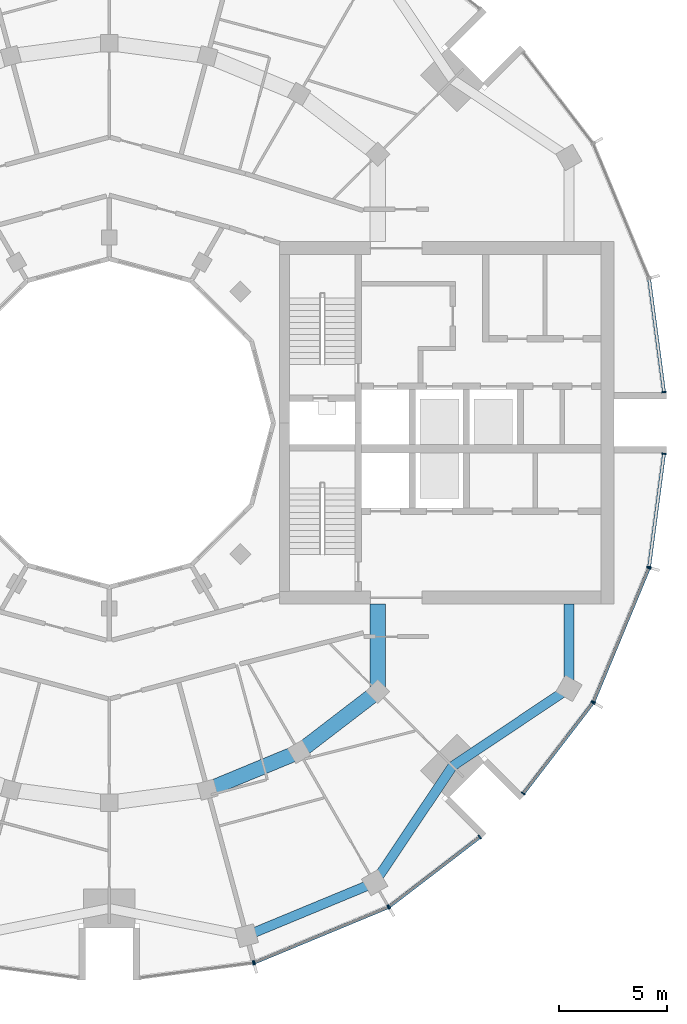
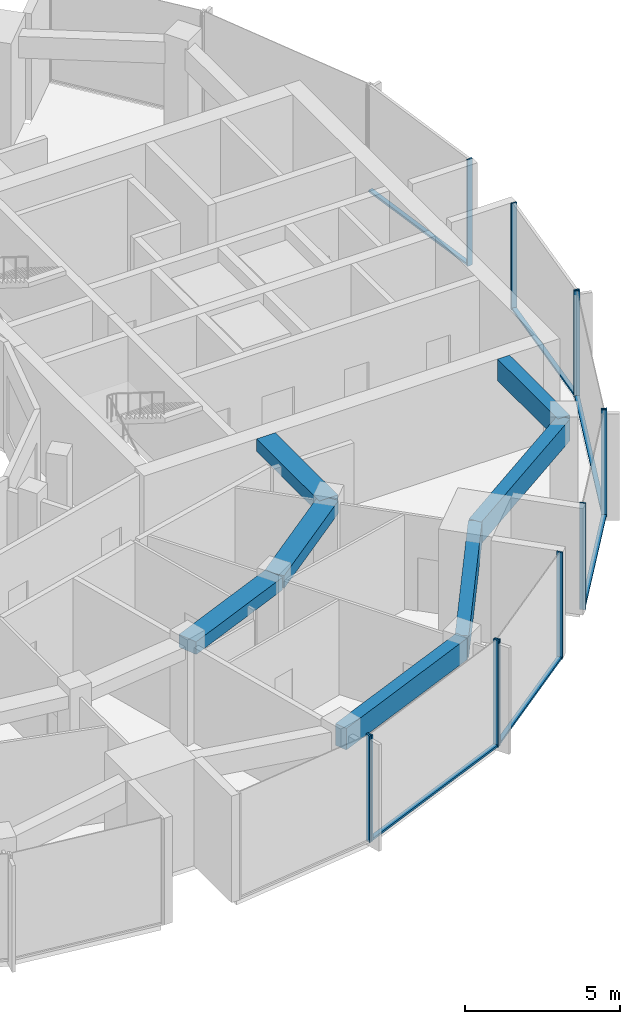
# One storey, part 4 of 15: 18 members, 7 beams, 7 elements without a shape of their own.
"""IFC4 building model written with IfcOpenShell, lengths in metres."""

from ifc_helpers import new_model, si_unit, direction, frame, origin, origin_2d, place, context, subcontext, project, spatial, rectangle, extrude, material, layer, layer_set, material_profile, profile_set, type_object, element, aggregate, save


model = new_model("IFC4")

# Units and contexts
model_context = context("Model", 3, precision=1e-05, world=origin(), true_north=direction((0.0, 1.0)))
body_context = subcontext(model_context, "Body", "Model", "MODEL_VIEW")
ifc_project = project(units=[si_unit("LENGTHUNIT", "METRE"), si_unit("AREAUNIT", "SQUARE_METRE"), si_unit("VOLUMEUNIT", "CUBIC_METRE"), si_unit("PLANEANGLEUNIT", "RADIAN"), si_unit("MASSUNIT", "GRAM", prefix="KILO")], contexts=[model_context])

# Site, building, storey
site_placement = place(None, origin())
site = spatial("IfcSite", under=ifc_project, at=site_placement, CompositionType="ELEMENT")
building_placement = place(site_placement, origin())
building = spatial("IfcBuilding", under=site, at=building_placement, Name="Torre Brocal", CompositionType="ELEMENT")
storey_placement = place(building_placement, frame((0.0, 0.0, 245.699951171875)))
storey = spatial("IfcBuildingStorey", under=building, at=storey_placement, Name="L56", CompositionType="ELEMENT", Elevation=245.699951171875)

# Curtain wall, member
ifc_material_1 = material(Name="Aluminium and glass", Category="aluminium")
ifc_layer_1 = layer(ifc_material_1, 0.199951171875)
ifc_layer_set_1 = layer_set([ifc_layer_1], Name="Aluminium and glass")
curtain_wall_type_1 = type_object("IfcCurtainWallType", Name="CW-1 CURTAIN WALL 4200 HIGH", PredefinedType="NOTDEFINED", material=ifc_layer_set_1)
curtain_wall_1_placement = place(storey_placement, origin())
curtain_wall_1 = element("IfcCurtainWall", 1, at=curtain_wall_1_placement, inside=storey, type_object=curtain_wall_type_1, Name="CW-1 RUN 19", PredefinedType="NOTDEFINED")
ifc_material_2 = material(Name="Aluminium, dark anodised", Category="aluminium")
ifc_material_profile_1 = material_profile(ifc_material_2, rectangle(XDim=0.199951171875, YDim=0.06005859375, at=origin_2d()), Name="CW-1 MULLION 60X200")
ifc_profile_set_1 = profile_set([ifc_material_profile_1], Name="Aluminium, dark anodised")
member_type_1 = type_object("IfcMemberType", Name="CW-1 MULLION 60X200", PredefinedType="MULLION", material=ifc_profile_set_1)
member_1_placement = place(storey_placement, frame((86.67333984375, 49.9794921875, 0.0), z_axis=(0.0, 0.0, 1.0), x_axis=(-0.13052619222, 0.991444861374, 0.0)))
member_1 = element("IfcMember", 2, at=member_1_placement, type_object=member_type_1, Name="CW1-5 mullion 2", PredefinedType="MULLION", context=body_context, shape_type="SweptSolid", body=[
    extrude(rectangle(XDim=0.199951171875, YDim=0.06005859375, at=origin_2d()), origin(), (0.0, 0.0, 1.0), 4.199951171875),
])
aggregate(curtain_wall_1, [member_1])

# Curtain wall, members
curtain_wall_2_placement = place(storey_placement, origin())
curtain_wall_2 = element("IfcCurtainWall", 3, at=curtain_wall_2_placement, inside=storey, type_object=curtain_wall_type_1, Name="CW-1 RUN 20", PredefinedType="NOTDEFINED")
member_2_placement = place(storey_placement, frame((86.73095703125, 49.994873046875, 0.0), z_axis=(0.0, 0.0, 1.0), x_axis=(-0.382683432333, 0.923879532525, 0.0)))
member_2 = element("IfcMember", 4, at=member_2_placement, type_object=member_type_1, Name="CW1-5 mullion 1", PredefinedType="MULLION", context=body_context, shape_type="SweptSolid", body=[
    extrude(rectangle(XDim=0.199951171875, YDim=0.06005859375, at=origin_2d()), origin(), (0.0, 0.0, 1.0), 4.199951171875),
])
member_3_placement = place(storey_placement, frame((92.921875, 52.559326171875, 0.0), z_axis=(0.0, 0.0, 1.0), x_axis=(-0.382683432333, 0.923879532525, 0.0)))
member_3 = element("IfcMember", 5, at=member_3_placement, type_object=member_type_1, Name="CW1-5 mullion 2", PredefinedType="MULLION", context=body_context, shape_type="SweptSolid", body=[
    extrude(rectangle(XDim=0.199951171875, YDim=0.06005859375, at=origin_2d()), origin(), (0.0, 0.0, 1.0), 4.199951171875),
])

curtain_wall_3_placement = place(storey_placement, origin())
curtain_wall_3 = element("IfcCurtainWall", 6, at=curtain_wall_3_placement, inside=storey, type_object=curtain_wall_type_1, Name="CW-1 RUN 21", PredefinedType="NOTDEFINED")
member_4_placement = place(storey_placement, frame((92.973388671875, 52.5888671875, 0.0), z_axis=(0.0, 0.0, 1.0), x_axis=(-0.60876142905, 0.793353340259, 0.0)))
member_4 = element("IfcMember", 7, at=member_4_placement, type_object=member_type_1, Name="CW1-5 mullion 1", PredefinedType="MULLION", context=body_context, shape_type="SweptSolid", body=[
    extrude(rectangle(XDim=0.199951171875, YDim=0.06005859375, at=origin_2d()), origin(), (0.0, 0.0, 1.0), 4.199951171875),
])
member_5_placement = place(storey_placement, frame((97.16943359375, 55.80859375, 0.0), z_axis=(0.0, 0.0, 1.0), x_axis=(-0.60876142905, 0.793353340259, 0.0)))
member_5 = element("IfcMember", 8, at=member_5_placement, type_object=member_type_1, Name="CW1-5 mullion 2", PredefinedType="MULLION", context=body_context, shape_type="SweptSolid", body=[
    extrude(rectangle(XDim=0.199951171875, YDim=0.06005859375, at=origin_2d()), origin(), (0.0, 0.0, 1.0), 4.199951171875),
])

curtain_wall_4_placement = place(storey_placement, origin())
curtain_wall_4 = element("IfcCurtainWall", 9, at=curtain_wall_4_placement, inside=storey, type_object=curtain_wall_type_1, Name="CW-1 RUN 22", PredefinedType="NOTDEFINED")
member_6_placement = place(storey_placement, frame((99.19140625, 57.83056640625, 0.0), z_axis=(0.0, 0.0, 1.0), x_axis=(-0.793353340259, 0.60876142905, 0.0)))
member_6 = element("IfcMember", 10, at=member_6_placement, type_object=member_type_1, Name="CW1-5 mullion 1", PredefinedType="MULLION", context=body_context, shape_type="SweptSolid", body=[
    extrude(rectangle(XDim=0.199951171875, YDim=0.06005859375, at=origin_2d()), origin(), (0.0, 0.0, 1.0), 4.199951171875),
])
member_7_placement = place(storey_placement, frame((102.4111328125, 62.026611328125, 0.0), z_axis=(0.0, 0.0, 1.0), x_axis=(-0.793353340259, 0.60876142905, 0.0)))
member_7 = element("IfcMember", 11, at=member_7_placement, type_object=member_type_1, Name="CW1-5 mullion 2", PredefinedType="MULLION", context=body_context, shape_type="SweptSolid", body=[
    extrude(rectangle(XDim=0.199951171875, YDim=0.06005859375, at=origin_2d()), origin(), (0.0, 0.0, 1.0), 4.199951171875),
])

curtain_wall_5_placement = place(storey_placement, origin())
curtain_wall_5 = element("IfcCurtainWall", 12, at=curtain_wall_5_placement, inside=storey, type_object=curtain_wall_type_1, Name="CW-1 RUN 23", PredefinedType="NOTDEFINED")
member_8_placement = place(storey_placement, frame((102.440673828125, 62.078125, 0.0), z_axis=(0.0, 0.0, 1.0), x_axis=(-0.923879532525, 0.382683432333, 0.0)))
member_8 = element("IfcMember", 13, at=member_8_placement, type_object=member_type_1, Name="CW1-5 mullion 1", PredefinedType="MULLION", context=body_context, shape_type="SweptSolid", body=[
    extrude(rectangle(XDim=0.199951171875, YDim=0.06005859375, at=origin_2d()), origin(), (0.0, 0.0, 1.0), 4.199951171875),
])
member_9_placement = place(storey_placement, frame((105.005126953125, 68.26904296875, 0.0), z_axis=(0.0, 0.0, 1.0), x_axis=(-0.923879532525, 0.382683432333, 0.0)))
member_9 = element("IfcMember", 14, at=member_9_placement, type_object=member_type_1, Name="CW1-5 mullion 2", PredefinedType="MULLION", context=body_context, shape_type="SweptSolid", body=[
    extrude(rectangle(XDim=0.199951171875, YDim=0.06005859375, at=origin_2d()), origin(), (0.0, 0.0, 1.0), 4.199951171875),
])

# Member
ifc_material_3 = material(Name="Aluminium, dark anodised", Category="aluminium")
ifc_material_profile_2 = material_profile(ifc_material_3, rectangle(XDim=0.159912109375, YDim=0.080078125, at=origin_2d()), Name="CW-1 TRANSOM 160X80")
ifc_profile_set_2 = profile_set([ifc_material_profile_2], Name="Aluminium, dark anodised")
member_type_2 = type_object("IfcMemberType", Name="CW-1 TRANSOM 160X80", PredefinedType="USERDEFINED", material=ifc_profile_set_2)
member_10_placement = place(storey_placement, frame((86.758544921875, 50.00634765625, 0.0400390625), z_axis=(0.923887344364, 0.38266457234, 0.0), x_axis=(-0.38266457234, 0.923887344364, 0.0)))
member_10 = element("IfcMember", 15, at=member_10_placement, type_object=member_type_2, Name="CW1-5 transom 1.1", ObjectType="TRANSOM", PredefinedType="USERDEFINED", context=body_context, shape_type="SweptSolid", body=[
    extrude(rectangle(XDim=0.159912109375, YDim=0.080078125, at=origin_2d()), origin(), (0.0, 0.0, 1.0), 6.640869140625),
])

aggregate(curtain_wall_2, [member_2, member_3, member_10])

member_11_placement = place(storey_placement, frame((92.9970703125, 52.607177734375, 0.0400390625), z_axis=(0.79336281513, 0.60874908096, 0.0), x_axis=(-0.60874908096, 0.79336281513, 0.0)))
member_11 = element("IfcMember", 16, at=member_11_placement, type_object=member_type_2, Name="CW1-5 transom 1.1", ObjectType="TRANSOM", PredefinedType="USERDEFINED", context=body_context, shape_type="SweptSolid", body=[
    extrude(rectangle(XDim=0.159912109375, YDim=0.080078125, at=origin_2d()), origin(), (0.0, 0.0, 1.0), 5.22900390625),
])

aggregate(curtain_wall_3, [member_4, member_5, member_11])

member_12_placement = place(storey_placement, frame((99.209716796875, 57.8544921875, 0.0400390625), z_axis=(0.60874908096, 0.79336281513, 0.0), x_axis=(-0.79336281513, 0.60874908096, 0.0)))
member_12 = element("IfcMember", 17, at=member_12_placement, type_object=member_type_2, Name="CW1-5 transom 1.1", ObjectType="TRANSOM", PredefinedType="USERDEFINED", context=body_context, shape_type="SweptSolid", body=[
    extrude(rectangle(XDim=0.159912109375, YDim=0.080078125, at=origin_2d()), origin(), (0.0, 0.0, 1.0), 5.22900390625),
])

aggregate(curtain_wall_4, [member_6, member_7, member_12])

member_13_placement = place(storey_placement, frame((102.452392578125, 62.10595703125, 0.0400390625), z_axis=(0.38266457234, 0.923887344364, 0.0), x_axis=(-0.923887344364, 0.38266457234, 0.0)))
member_13 = element("IfcMember", 18, at=member_13_placement, type_object=member_type_2, Name="CW1-5 transom 1.1", ObjectType="TRANSOM", PredefinedType="USERDEFINED", context=body_context, shape_type="SweptSolid", body=[
    extrude(rectangle(XDim=0.159912109375, YDim=0.080078125, at=origin_2d()), origin(), (0.0, 0.0, 1.0), 6.640869140625),
])

aggregate(curtain_wall_5, [member_8, member_9, member_13])

# Curtain wall, member
ifc_material_4 = material(Name="Aluminium and glass", Category="aluminium")
ifc_layer_2 = layer(ifc_material_4, 0.199951171875)
ifc_layer_set_2 = layer_set([ifc_layer_2], Name="Aluminium and glass")
curtain_wall_type_2 = type_object("IfcCurtainWallType", Name="CW-1B CURTAIN WALL 4200 HIGH", PredefinedType="NOTDEFINED", material=ifc_layer_set_2)
curtain_wall_6_placement = place(storey_placement, origin())
curtain_wall_6 = element("IfcCurtainWall", 19, at=curtain_wall_6_placement, inside=storey, type_object=curtain_wall_type_2, Name="CW-1B RUN 1", PredefinedType="NOTDEFINED")
ifc_material_5 = material(Name="Aluminium, dark anodised", Category="aluminium")
ifc_material_profile_3 = material_profile(ifc_material_5, rectangle(XDim=0.199951171875, YDim=0.06005859375, at=origin_2d()), Name="CW-1B MULLION 60X200")
ifc_profile_set_3 = profile_set([ifc_material_profile_3], Name="Aluminium, dark anodised")
member_type_3 = type_object("IfcMemberType", Name="CW-1B MULLION 60X200", PredefinedType="MULLION", material=ifc_profile_set_3)
member_14_placement = place(storey_placement, frame((105.7109375, 76.4296875, 0.0), z_axis=(0.0, 0.0, 1.0), x_axis=(-0.991444861374, -0.13052619222, 0.0)))
member_14 = element("IfcMember", 20, at=member_14_placement, type_object=member_type_3, Name="CW1B-5 mullion 1", PredefinedType="MULLION", context=body_context, shape_type="SweptSolid", body=[
    extrude(rectangle(XDim=0.199951171875, YDim=0.06005859375, at=origin_2d()), origin(), (0.0, 0.0, 1.0), 4.199951171875),
])

# Curtain wall, members
curtain_wall_7_placement = place(storey_placement, origin())
curtain_wall_7 = element("IfcCurtainWall", 21, at=curtain_wall_7_placement, inside=storey, type_object=curtain_wall_type_2, Name="CW-1B RUN 24", PredefinedType="NOTDEFINED")
member_15_placement = place(storey_placement, frame((105.0205078125, 68.32666015625, 0.0), z_axis=(0.0, 0.0, 1.0), x_axis=(-0.991444861374, 0.13052619222, 0.0)))
member_15 = element("IfcMember", 22, at=member_15_placement, type_object=member_type_3, Name="CW1B-5 mullion 1", PredefinedType="MULLION", context=body_context, shape_type="SweptSolid", body=[
    extrude(rectangle(XDim=0.199951171875, YDim=0.06005859375, at=origin_2d()), origin(), (0.0, 0.0, 1.0), 4.199951171875),
])
member_16_placement = place(storey_placement, frame((105.7109375, 73.5703125, 0.0), z_axis=(0.0, 0.0, 1.0), x_axis=(-0.991444861374, 0.13052619222, 0.0)))
member_16 = element("IfcMember", 23, at=member_16_placement, type_object=member_type_3, Name="CW1B-5 mullion 2", PredefinedType="MULLION", context=body_context, shape_type="SweptSolid", body=[
    extrude(rectangle(XDim=0.199951171875, YDim=0.06005859375, at=origin_2d()), origin(), (0.0, 0.0, 1.0), 4.199951171875),
])

# Member
ifc_material_6 = material(Name="Aluminium, dark anodised", Category="aluminium")
ifc_material_profile_4 = material_profile(ifc_material_6, rectangle(XDim=0.159912109375, YDim=0.080078125, at=origin_2d()), Name="CW-1B TRANSOM 160X80")
ifc_profile_set_4 = profile_set([ifc_material_profile_4], Name="Aluminium, dark anodised")
member_type_4 = type_object("IfcMemberType", Name="CW-1B TRANSOM 160X80", PredefinedType="USERDEFINED", material=ifc_profile_set_4)
member_17_placement = place(storey_placement, frame((105.70703125, 76.45947265625, 0.0400390625), z_axis=(-0.130542677827, 0.991442690863, 0.0), x_axis=(-0.991442690863, -0.130542677827, 0.0)))
member_17 = element("IfcMember", 24, at=member_17_placement, type_object=member_type_4, Name="CW1B-5 transom 1.1", ObjectType="TRANSOM", PredefinedType="USERDEFINED", context=body_context, shape_type="SweptSolid", body=[
    extrude(rectangle(XDim=0.159912109375, YDim=0.080078125, at=origin_2d()), origin(), (0.0, 0.0, 1.0), 5.22900390625),
])

aggregate(curtain_wall_6, [member_14, member_17])

member_18_placement = place(storey_placement, frame((105.0244140625, 68.356201171875, 0.0400390625), z_axis=(0.130542677827, 0.991442690863, 0.0), x_axis=(-0.991442690863, 0.130542677827, 0.0)))
member_18 = element("IfcMember", 25, at=member_18_placement, type_object=member_type_4, Name="CW1B-5 transom 1.1", ObjectType="TRANSOM", PredefinedType="USERDEFINED", context=body_context, shape_type="SweptSolid", body=[
    extrude(rectangle(XDim=0.159912109375, YDim=0.080078125, at=origin_2d()), origin(), (0.0, 0.0, 1.0), 5.22900390625),
])

aggregate(curtain_wall_7, [member_15, member_16, member_18])

# Beams
ifc_material_7 = material(Name="Concrete C50", Category="concrete")
ifc_material_profile_5 = material_profile(ifc_material_7, rectangle(XDim=0.699951171875, YDim=0.5, at=origin_2d()), Name="RC 700X500")
ifc_profile_set_5 = profile_set([ifc_material_profile_5], Name="Concrete C50")
beam_type_1 = type_object("IfcBeamType", Name="RC BEAM 700X500 C50 TOP 3880", PredefinedType="BEAM", material=ifc_profile_set_5)
beam_1_placement = place(storey_placement, frame((84.55517578125, 57.999755859375, 3.630126953125), z_axis=(0.923878240166, 0.382686552348, 0.0), x_axis=(-0.382686552348, 0.923878240166, 0.0)))
element("IfcBeam", 26, at=beam_1_placement, inside=storey, type_object=beam_type_1, Name="Beam BT-37", PredefinedType="BEAM", context=body_context, shape_type="SweptSolid", body=[
    extrude(rectangle(XDim=0.699951171875, YDim=0.5, at=origin_2d()), origin(), (0.0, 0.0, 1.0), 4.5947265625),
])
beam_2_placement = place(storey_placement, frame((88.800048828125, 59.758056640625, 3.630126953125), z_axis=(0.793358265959, 0.6087550097, 0.0), x_axis=(-0.6087550097, 0.793358265959, 0.0)))
element("IfcBeam", 27, at=beam_2_placement, inside=storey, type_object=beam_type_1, Name="Beam BT-37", PredefinedType="BEAM", context=body_context, shape_type="SweptSolid", body=[
    extrude(rectangle(XDim=0.699951171875, YDim=0.5, at=origin_2d()), origin(), (0.0, 0.0, 1.0), 4.594482421875),
])
beam_3_placement = place(storey_placement, frame((92.445068359375, 62.554931640625, 3.630126953125), z_axis=(0.0, 1.0, 0.0), x_axis=(-1.0, 0.0, 0.0)))
element("IfcBeam", 28, at=beam_3_placement, inside=storey, type_object=beam_type_1, Name="Beam BT-37", PredefinedType="BEAM", context=body_context, shape_type="SweptSolid", body=[
    extrude(rectangle(XDim=0.699951171875, YDim=0.5, at=origin_2d()), origin(), (0.0, 0.0, 1.0), 4.045166015625),
])
ifc_material_8 = material(Name="Concrete C50", Category="concrete")
ifc_material_profile_6 = material_profile(ifc_material_8, rectangle(XDim=0.449951171875, YDim=0.85009765625, at=origin_2d()), Name="RC 450X850")
ifc_profile_set_6 = profile_set([ifc_material_profile_6], Name="Concrete C50")
beam_type_2 = type_object("IfcBeamType", Name="RC SPANDREL BEAM 450X850 C50 TOP 3880", PredefinedType="SPANDREL", material=ifc_profile_set_6)
beam_4_placement = place(storey_placement, frame((86.366943359375, 51.23828125, 3.455078125), z_axis=(0.923882462513, 0.382676358639, 0.0), x_axis=(-0.382676358639, 0.923882462513, 0.0)))
element("IfcBeam", 29, at=beam_4_placement, inside=storey, type_object=beam_type_2, Name="Beam BT-38", PredefinedType="SPANDREL", context=body_context, shape_type="SweptSolid", body=[
    extrude(rectangle(XDim=0.449951171875, YDim=0.85009765625, at=origin_2d()), origin(), (0.0, 0.0, 1.0), 6.421875),
])
for number, where, z_axis, x_axis, name in (
    (30, (92.300048828125, 53.69580078125, 3.455078125), (0.556157602282, 0.831076844476, 0.0), (-0.831076844476, 0.556157602282, 0.0), "Beam BT-38"),
    (31, (95.909912109375, 59.090087890625, 3.455078125), (0.831076844476, 0.556157602282, 0.0), (-0.556157602282, 0.831076844476, 0.0), "Beam BT-38"),
):
    element("IfcBeam", number, at=place(storey_placement, frame(where, z_axis=z_axis, x_axis=x_axis)), inside=storey, type_object=beam_type_2, Name=name, PredefinedType="SPANDREL", context=body_context, shape_type="SweptSolid", body=[
        extrude(rectangle(XDim=0.449951171875, YDim=0.85009765625, at=origin_2d()), origin(), (0.0, 0.0, 1.0), 6.49072265625),
    ])
beam_5_placement = place(storey_placement, frame((101.30419921875, 62.699951171875, 3.455078125), z_axis=(0.0, 1.0, 0.0), x_axis=(-1.0, 0.0, 0.0)))
element("IfcBeam", 32, at=beam_5_placement, inside=storey, type_object=beam_type_2, Name="Beam BT-38", PredefinedType="SPANDREL", context=body_context, shape_type="SweptSolid", body=[
    extrude(rectangle(XDim=0.449951171875, YDim=0.85009765625, at=origin_2d()), origin(), (0.0, 0.0, 1.0), 3.900146484375),
])

save(model, "model.ifc")
